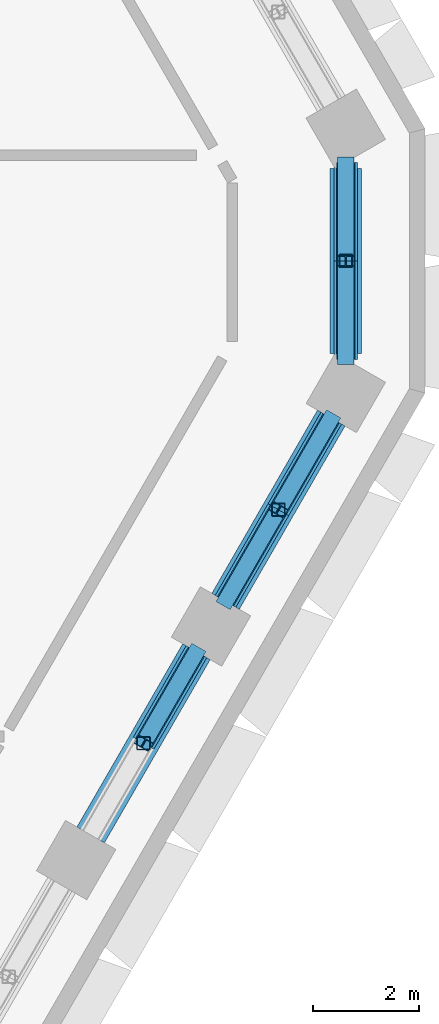
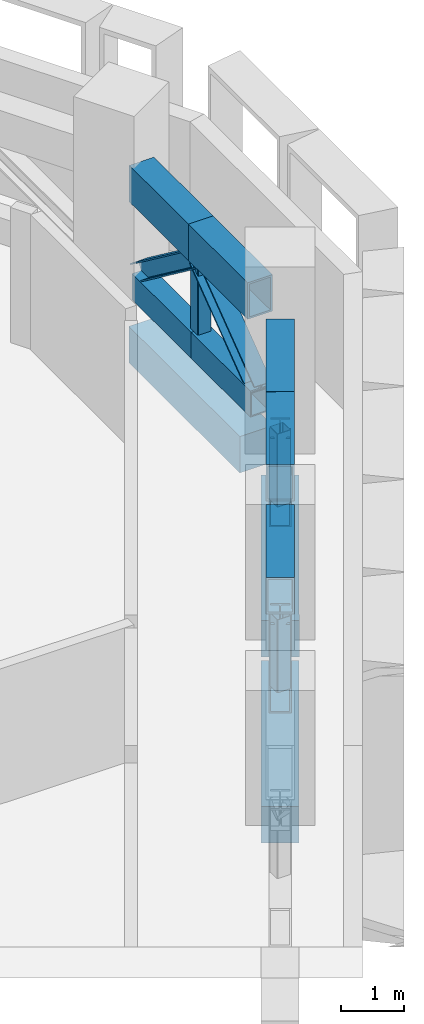
# One storey, part 5 of 22: 18 members, 3 beams.
"""IFC4 building model written with IfcOpenShell, lengths in metres."""

from ifc_helpers import new_model, si_unit, direction, frame, origin, origin_2d, place, context, subcontext, project, spatial, rectangle, hollow_rectangle, i_section, extrude, material, material_profile, profile_set, type_object, element, save


model = new_model("IFC4")

# Units and contexts
model_context = context("Model", 3, precision=1e-05, world=origin(), true_north=direction((0.0, 1.0)))
body_context = subcontext(model_context, "Body", "Model", "MODEL_VIEW")
ifc_project = project(units=[si_unit("LENGTHUNIT", "METRE"), si_unit("AREAUNIT", "SQUARE_METRE"), si_unit("VOLUMEUNIT", "CUBIC_METRE"), si_unit("PLANEANGLEUNIT", "RADIAN"), si_unit("MASSUNIT", "GRAM", prefix="KILO")], contexts=[model_context])

# Site, building, storey
site_placement = place(None, origin())
site = spatial("IfcSite", under=ifc_project, at=site_placement, CompositionType="ELEMENT")
building_placement = place(site_placement, origin())
building = spatial("IfcBuilding", under=site, at=building_placement, Name="Beryl Residences", CompositionType="ELEMENT")
storey_placement = place(building_placement, frame((0.0, 0.0, 62.39990234375)))
storey = spatial("IfcBuildingStorey", under=building, at=storey_placement, Name="L19", CompositionType="ELEMENT", Elevation=62.39990234375)

# Members
ifc_material_1 = material(Name="Steel S355", Category="steel")
ifc_material_profile_1 = material_profile(ifc_material_1, hollow_rectangle(XDim=0.35009765625, YDim=0.5, WallThickness=0.02490234375, at=origin_2d()))
ifc_profile_set_1 = profile_set([ifc_material_profile_1], Name="Steel S355")
member_type_1 = type_object("IfcMemberType", Name="BB1 belt truss bottom chord WB 500x350x25", PredefinedType="CHORD", material=ifc_profile_set_1)
member_1_placement = place(storey_placement, frame((26.02197265625, -9.12890625, 0.25), z_axis=(0.499968756647, 0.866043441391, 0.0), x_axis=(-0.866043441391, 0.499968756647, 0.0)))
element("IfcMember", 1, at=member_1_placement, inside=storey, type_object=member_type_1, Name="Belt truss BB1-SE-3b L19", PredefinedType="CHORD", context=body_context, shape_type="SweptSolid", body=[
    extrude(hollow_rectangle(XDim=0.35009765625, YDim=0.5, WallThickness=0.02490234375, at=origin_2d()), origin(), (0.0, 0.0, 1.0), 2.002197265625),
])
member_2_placement = place(storey_placement, frame((27.572998046875, -6.443115234375, 0.25), z_axis=(0.499549993408, 0.866285059369, 0.0), x_axis=(-0.866285059369, 0.499549993408, 0.0)))
element("IfcMember", 2, at=member_2_placement, inside=storey, type_object=member_type_1, Name="Belt truss BB1-SE-4a L19", PredefinedType="CHORD", context=body_context, shape_type="SweptSolid", body=[
    extrude(hollow_rectangle(XDim=0.35009765625, YDim=0.5, WallThickness=0.02490234375, at=origin_2d()), origin(), (0.0, 0.0, 1.0), 2.001708984375),
])
member_3_placement = place(storey_placement, frame((28.572998046875, -4.708984375, 0.25), z_axis=(0.499968756647, 0.866043441391, 0.0), x_axis=(-0.866043441391, 0.499968756647, 0.0)))
element("IfcMember", 3, at=member_3_placement, inside=storey, type_object=member_type_1, Name="Belt truss BB1-SE-4b L19", PredefinedType="CHORD", context=body_context, shape_type="SweptSolid", body=[
    extrude(hollow_rectangle(XDim=0.35009765625, YDim=0.5, WallThickness=0.02490234375, at=origin_2d()), origin(), (0.0, 0.0, 1.0), 2.002197265625),
])
member_4_placement = place(storey_placement, frame((29.84912109375, -1.864013671875, 0.25), z_axis=(0.0, 1.0, 0.0), x_axis=(-1.0, 0.0, 0.0)))
element("IfcMember", 4, at=member_4_placement, inside=storey, type_object=member_type_1, Name="Belt truss BB1-SE-5a L19", PredefinedType="CHORD", context=body_context, shape_type="SweptSolid", body=[
    extrude(hollow_rectangle(XDim=0.35009765625, YDim=0.5, WallThickness=0.02490234375, at=origin_2d()), origin(), (0.0, 0.0, 1.0), 1.864013671875),
])
member_5_placement = place(storey_placement, frame((29.84912109375, 0.0, 0.25), z_axis=(-0.000654535794, 0.999999785791, 0.0), x_axis=(-0.999999785791, -0.000654535794, 0.0)))
element("IfcMember", 5, at=member_5_placement, inside=storey, type_object=member_type_1, Name="Belt truss BB1-SE-5b L19", PredefinedType="CHORD", context=body_context, shape_type="SweptSolid", body=[
    extrude(hollow_rectangle(XDim=0.35009765625, YDim=0.5, WallThickness=0.02490234375, at=origin_2d()), origin(), (0.0, 0.0, 1.0), 1.864990234375),
])
ifc_material_2 = material(Name="Steel S355", Category="steel")
ifc_material_profile_2 = material_profile(ifc_material_2, i_section(OverallWidth=0.31103515625, OverallDepth=0.326904296875, WebThickness=0.015625, FlangeThickness=0.02490234375, FilletRadius=0.0166015625, at=origin_2d()))
ifc_profile_set_2 = profile_set([ifc_material_profile_2], Name="Steel S355")
member_type_2 = type_object("IfcMemberType", Name="BD1 belt truss diagonal 310UC158", PredefinedType="BRACE", material=ifc_profile_set_2)
member_6_placement = place(storey_placement, frame((27.02294921875, -7.39501953125, 0.5), z_axis=(-0.409716105686, -0.709708239654, 0.573102894173), x_axis=(0.866043441391, -0.499968756647, 0.0)))
element("IfcMember", 6, at=member_6_placement, inside=storey, type_object=member_type_2, Name="Belt truss BD1-SE-3b L19", PredefinedType="BRACE", context=body_context, shape_type="SweptSolid", body=[
    extrude(i_section(OverallWidth=0.31103515625, OverallDepth=0.326904296875, WebThickness=0.015625, FlangeThickness=0.02490234375, FilletRadius=0.0166015625, at=origin_2d()), origin(), (0.0, 0.0, 1.0), 2.443115234375),
])
member_7_placement = place(storey_placement, frame((27.572998046875, -6.443115234375, 0.5), z_axis=(0.409354358747, 0.709874025923, 0.573156066263), x_axis=(-0.866285059369, 0.499549993408, 0.0)))
element("IfcMember", 7, at=member_7_placement, inside=storey, type_object=member_type_2, Name="Belt truss BD1-SE-4a L19", PredefinedType="BRACE", context=body_context, shape_type="SweptSolid", body=[
    extrude(i_section(OverallWidth=0.31103515625, OverallDepth=0.326904296875, WebThickness=0.015625, FlangeThickness=0.02490234375, FilletRadius=0.0166015625, at=origin_2d()), origin(), (0.0, 0.0, 1.0), 2.44287109375),
])
member_8_placement = place(storey_placement, frame((29.573974609375, -2.97509765625, 0.5), z_axis=(-0.409716105686, -0.709708239654, 0.573102894173), x_axis=(0.866043441391, -0.499968756647, 0.0)))
element("IfcMember", 8, at=member_8_placement, inside=storey, type_object=member_type_2, Name="Belt truss BD1-SE-4b L19", PredefinedType="BRACE", context=body_context, shape_type="SweptSolid", body=[
    extrude(i_section(OverallWidth=0.31103515625, OverallDepth=0.326904296875, WebThickness=0.015625, FlangeThickness=0.02490234375, FilletRadius=0.0166015625, at=origin_2d()), origin(), (0.0, 0.0, 1.0), 2.443115234375),
])
member_9_placement = place(storey_placement, frame((29.84912109375, -1.864013671875, 0.5), z_axis=(0.0, 0.799559948535, 0.600586287472), x_axis=(-1.0, 0.0, 0.0)))
element("IfcMember", 9, at=member_9_placement, inside=storey, type_object=member_type_2, Name="Belt truss BD1-SE-5a L19", PredefinedType="BRACE", context=body_context, shape_type="SweptSolid", body=[
    extrude(i_section(OverallWidth=0.31103515625, OverallDepth=0.326904296875, WebThickness=0.015625, FlangeThickness=0.02490234375, FilletRadius=0.0166015625, at=origin_2d()), origin(), (0.0, 0.0, 1.0), 2.331298828125),
])
member_10_placement = place(storey_placement, frame((29.847900390625, 1.864990234375, 0.5), z_axis=(0.000523439494, -0.799710859042, 0.6003850997), x_axis=(0.999999785791, 0.000654535794, 0.0)))
element("IfcMember", 10, at=member_10_placement, inside=storey, type_object=member_type_2, Name="Belt truss BD1-SE-5b L19", PredefinedType="BRACE", context=body_context, shape_type="SweptSolid", body=[
    extrude(i_section(OverallWidth=0.31103515625, OverallDepth=0.326904296875, WebThickness=0.015625, FlangeThickness=0.02490234375, FilletRadius=0.0166015625, at=origin_2d()), origin(), (0.0, 0.0, 1.0), 2.33203125),
])
ifc_material_3 = material(Name="Steel S355", Category="steel")
ifc_material_profile_3 = material_profile(ifc_material_3, hollow_rectangle(XDim=0.25, YDim=0.25, WallThickness=0.009033203125, InnerFilletRadius=0.009033203125, OuterFilletRadius=0.01806640625, at=origin_2d()))
ifc_profile_set_3 = profile_set([ifc_material_profile_3], Name="Steel S355")
member_type_3 = type_object("IfcMemberType", Name="BQ1 belt truss post SHS 250x250x9", PredefinedType="POST", material=ifc_profile_set_3)
for number, where, z_axis, x_axis, name in (
    (11, (26.02197265625, -9.12890625, 0.5), (0.0, 0.0, 1.0), (1.0, 0.0, 0.0), "Belt truss BQ1-SE-3 L19"),
    (12, (28.572998046875, -4.708984375, 0.5), (0.0, 0.0, 1.0), (1.0, 0.0, 0.0), "Belt truss BQ1-SE-4 L19"),
    (13, (29.84912109375, 0.0, 0.5), (0.0, 0.0, 1.0), (1.0, 0.0, 0.0), "Belt truss BQ1-SE-5 L19"),
):
    element("IfcMember", number, at=place(storey_placement, frame(where, z_axis=z_axis, x_axis=x_axis)), inside=storey, type_object=member_type_3, Name=name, PredefinedType="POST", context=body_context, shape_type="SweptSolid", body=[
        extrude(hollow_rectangle(XDim=0.25, YDim=0.25, WallThickness=0.009033203125, InnerFilletRadius=0.009033203125, OuterFilletRadius=0.01806640625, at=origin_2d()), origin(), (0.0, 0.0, 1.0), 1.400146484375),
    ])
ifc_material_4 = material(Name="Steel S355", Category="steel")
ifc_material_profile_4 = material_profile(ifc_material_4, hollow_rectangle(XDim=0.449951171875, YDim=0.699951171875, WallThickness=0.034912109375, at=origin_2d()))
ifc_profile_set_4 = profile_set([ifc_material_profile_4], Name="Steel S355")
member_type_4 = type_object("IfcMemberType", Name="BT1 belt truss top chord WB 700x450x35", PredefinedType="CHORD", material=ifc_profile_set_4)
member_11_placement = place(storey_placement, frame((26.02197265625, -9.12890625, 2.25), z_axis=(0.499968756647, 0.866043441391, 0.0), x_axis=(-0.866043441391, 0.499968756647, 0.0)))
element("IfcMember", 14, at=member_11_placement, inside=storey, type_object=member_type_4, Name="Belt truss BT1-SE-3b L19", PredefinedType="CHORD", context=body_context, shape_type="SweptSolid", body=[
    extrude(hollow_rectangle(XDim=0.449951171875, YDim=0.699951171875, WallThickness=0.034912109375, at=origin_2d()), origin(), (0.0, 0.0, 1.0), 2.002197265625),
])
member_12_placement = place(storey_placement, frame((27.572998046875, -6.443115234375, 2.25), z_axis=(0.499549993408, 0.866285059369, 0.0), x_axis=(-0.866285059369, 0.499549993408, 0.0)))
element("IfcMember", 15, at=member_12_placement, inside=storey, type_object=member_type_4, Name="Belt truss BT1-SE-4a L19", PredefinedType="CHORD", context=body_context, shape_type="SweptSolid", body=[
    extrude(hollow_rectangle(XDim=0.449951171875, YDim=0.699951171875, WallThickness=0.034912109375, at=origin_2d()), origin(), (0.0, 0.0, 1.0), 2.001708984375),
])
member_13_placement = place(storey_placement, frame((28.572998046875, -4.708984375, 2.25), z_axis=(0.499968756647, 0.866043441391, 0.0), x_axis=(-0.866043441391, 0.499968756647, 0.0)))
element("IfcMember", 16, at=member_13_placement, inside=storey, type_object=member_type_4, Name="Belt truss BT1-SE-4b L19", PredefinedType="CHORD", context=body_context, shape_type="SweptSolid", body=[
    extrude(hollow_rectangle(XDim=0.449951171875, YDim=0.699951171875, WallThickness=0.034912109375, at=origin_2d()), origin(), (0.0, 0.0, 1.0), 2.002197265625),
])
member_14_placement = place(storey_placement, frame((29.84912109375, -1.864013671875, 2.25), z_axis=(0.0, 1.0, 0.0), x_axis=(-1.0, 0.0, 0.0)))
element("IfcMember", 17, at=member_14_placement, inside=storey, type_object=member_type_4, Name="Belt truss BT1-SE-5a L19", PredefinedType="CHORD", context=body_context, shape_type="SweptSolid", body=[
    extrude(hollow_rectangle(XDim=0.449951171875, YDim=0.699951171875, WallThickness=0.034912109375, at=origin_2d()), origin(), (0.0, 0.0, 1.0), 1.864013671875),
])
member_15_placement = place(storey_placement, frame((29.84912109375, 0.0, 2.25), z_axis=(-0.000654535794, 0.999999785791, 0.0), x_axis=(-0.999999785791, -0.000654535794, 0.0)))
element("IfcMember", 18, at=member_15_placement, inside=storey, type_object=member_type_4, Name="Belt truss BT1-SE-5b L19", PredefinedType="CHORD", context=body_context, shape_type="SweptSolid", body=[
    extrude(hollow_rectangle(XDim=0.449951171875, YDim=0.699951171875, WallThickness=0.034912109375, at=origin_2d()), origin(), (0.0, 0.0, 1.0), 1.864990234375),
])

# Beams
ifc_material_5 = material(Name="Concrete C80/95", Category="concrete")
ifc_material_profile_5 = material_profile(ifc_material_5, rectangle(XDim=0.60009765625, YDim=0.699951171875, at=origin_2d()))
ifc_profile_set_5 = profile_set([ifc_material_profile_5], Name="Concrete C80/95")
beam_type = type_object("IfcBeamType", Name="SB1 spandrel beam 600 x 700 C80/95", PredefinedType="SPANDREL", material=ifc_profile_set_5)
beam_1_placement = place(storey_placement, frame((25.02099609375, -10.863037109375, -0.75), z_axis=(0.499942357345, 0.866058681229, 0.0), x_axis=(-0.866058681229, 0.499942357345, 0.0)))
element("IfcBeam", 19, at=beam_1_placement, inside=storey, type_object=beam_type, Name="SB1 L19 SE-3", PredefinedType="SPANDREL", context=body_context, shape_type="SweptSolid", body=[
    extrude(rectangle(XDim=0.60009765625, YDim=0.699951171875, at=origin_2d()), origin(), (0.0, 0.0, 1.0), 4.00439453125),
])
beam_2_placement = place(storey_placement, frame((27.572998046875, -6.443115234375, -0.75), z_axis=(0.499759404093, 0.866164267342, 0.0), x_axis=(-0.866164267342, 0.499759404093, 0.0)))
element("IfcBeam", 20, at=beam_2_placement, inside=storey, type_object=beam_type, Name="SB1 L19 SE-4", PredefinedType="SPANDREL", context=body_context, shape_type="SweptSolid", body=[
    extrude(rectangle(XDim=0.60009765625, YDim=0.699951171875, at=origin_2d()), origin(), (0.0, 0.0, 1.0), 4.00390625),
])
beam_3_placement = place(storey_placement, frame((29.84912109375, -1.748046875, -0.75), z_axis=(-0.000349064486, 0.999999939077, 0.0), x_axis=(-0.999999939077, -0.000349064486, 0.0)))
element("IfcBeam", 21, at=beam_3_placement, inside=storey, type_object=beam_type, Name="SB1 L19 SE-5", PredefinedType="SPANDREL", context=body_context, shape_type="SweptSolid", body=[
    extrude(rectangle(XDim=0.60009765625, YDim=0.699951171875, at=origin_2d()), origin(), (0.0, 0.0, 1.0), 3.4970703125),
])

save(model, "model.ifc")
